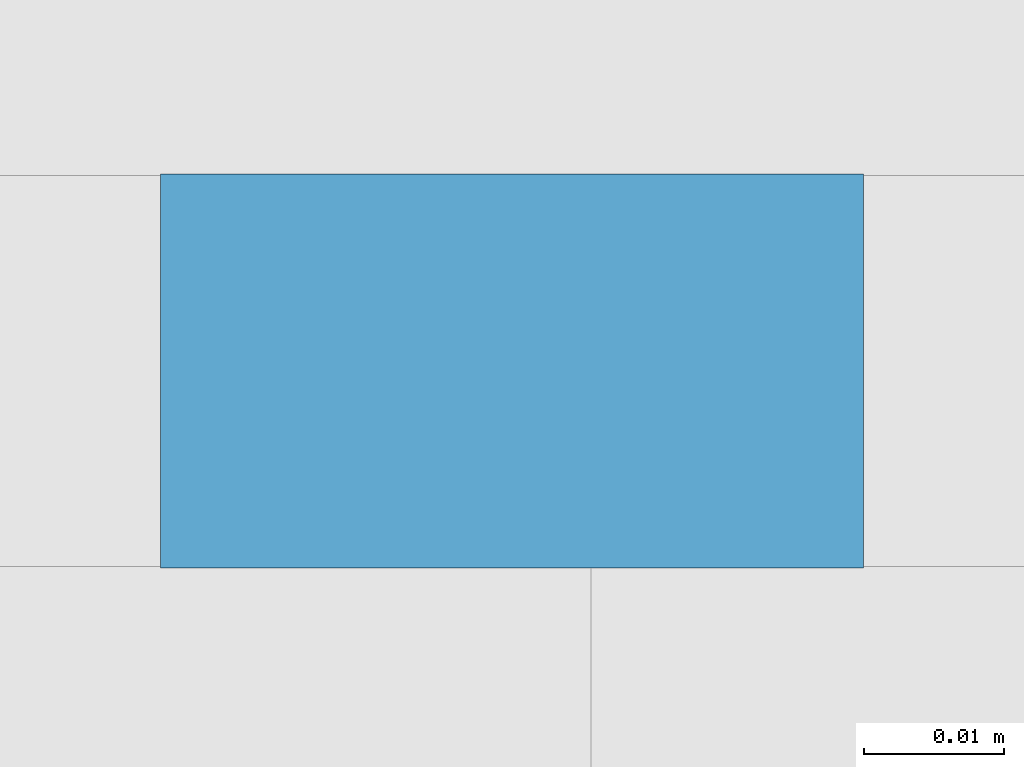
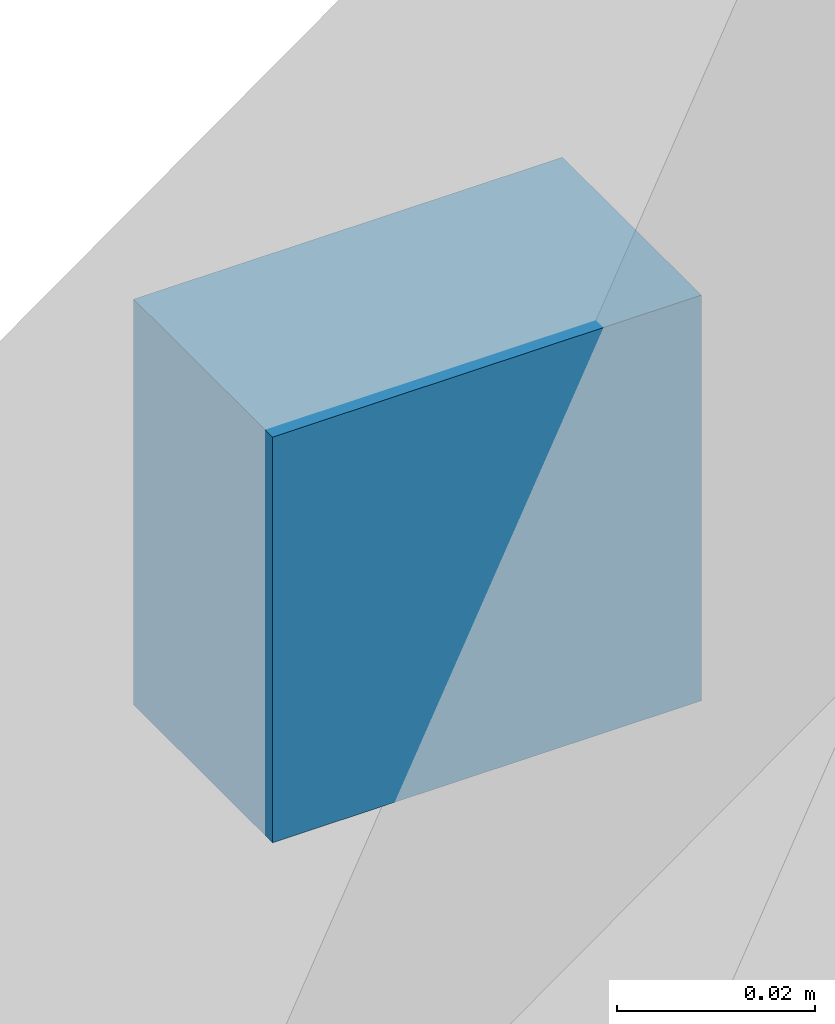
# One storey, part 14 of 18: 1 discrete accessory, 1 element without a shape of its own.
"""IFC4 building model written with IfcOpenShell, lengths in metres."""

import ifcopenshell
import ifcopenshell.guid

model = None  # the IFC model being written
_history = None  # IfcOwnerHistory: only IFC2X3 demands one
_inside = {}  # id of a spatial element -> (the spatial element, [elements in it])
_under = {}  # id of a project, library or spatial element -> (it, [spatial elements below it])
_declared = {}  # id of a project -> (the project, [libraries it declares])
_typed = {}  # id of a type object -> (the type object, [elements of that type])
_made_of = {}  # id of a material, layer set ... -> (it, [elements and type objects made of it])


def new_model(schema):
    """Start an empty IFC model of exactly this schema.

    Asked for "IFC4X3", IfcOpenShell would pick the latest addendum, in which some entities
    have other attributes; the version numbers below select the first issue.
    IFC2X3 requires an IfcOwnerHistory on every rooted entity: one is made here for all.
    """
    global model, _history
    if schema == "IFC4X3":
        model = ifcopenshell.file(schema_version=(4, 3, 0, 0))
    else:
        model = ifcopenshell.file(schema=schema)
    _inside.clear()
    _under.clear()
    _declared.clear()
    _typed.clear()
    _made_of.clear()
    _history = None
    if model.schema == "IFC2X3":
        org = make("IfcOrganization", Name="unknown")
        user = make(
            "IfcPersonAndOrganization",
            ThePerson=make("IfcPerson", FamilyName="unknown"),
            TheOrganization=org,
        )
        app = make(
            "IfcApplication",
            ApplicationDeveloper=org,
            Version="unknown",
            ApplicationFullName="unknown",
            ApplicationIdentifier="unknown",
        )
        _history = make(
            "IfcOwnerHistory",
            OwningUser=user,
            OwningApplication=app,
            ChangeAction="ADDED",
            CreationDate=0,
        )
    return model


def make(cls, **values):
    """One entity of the class cls with the attributes given. An attribute that is None is left unset."""
    return model.create_entity(
        cls, **{name: value for name, value in values.items() if value is not None}
    )


def rooted(cls, **values):
    """An entity with a GlobalId (a new one), such as an element, a storey or a relation."""
    return make(cls, GlobalId=ifcopenshell.guid.new(), OwnerHistory=_history, **values)


def si_unit(unit_type, name, prefix=None):
    """IfcSIUnit, for example si_unit("LENGTHUNIT", "METRE", prefix="MILLI")."""
    return make("IfcSIUnit", UnitType=unit_type, Prefix=prefix, Name=name)


def assignment(units):
    """IfcUnitAssignment: the units of a project."""
    return None if units is None else make("IfcUnitAssignment", Units=units)


def point(xyz):
    """IfcCartesianPoint."""
    return None if xyz is None else make("IfcCartesianPoint", Coordinates=xyz)


def direction(xyz):
    """IfcDirection."""
    return None if xyz is None else make("IfcDirection", DirectionRatios=xyz)


def frame(location, z_axis=None, x_axis=None):
    """IfcAxis2Placement3D, a coordinate frame: its origin and axes. An axis left out is left unset."""
    return make(
        "IfcAxis2Placement3D",
        Location=point(location),
        Axis=direction(z_axis),
        RefDirection=direction(x_axis),
    )


def frame_2d(location, x_axis=None):
    """IfcAxis2Placement2D, a coordinate frame in the plane: its origin and x axis."""
    return make(
        "IfcAxis2Placement2D", Location=point(location), RefDirection=direction(x_axis)
    )


def origin():
    """The frame at (0, 0, 0) with its axes left unset."""
    return frame((0.0, 0.0, 0.0))


def origin_2d():
    """The frame at (0, 0) in the plane with its x axis left unset."""
    return frame_2d((0.0, 0.0))


def place(relative_to, where):
    """IfcLocalPlacement: puts the frame where relative to a parent placement (None: the world)."""
    return make(
        "IfcLocalPlacement", PlacementRelTo=relative_to, RelativePlacement=where
    )


def context(
    kind, dimensions, precision=None, world=None, true_north=None, identifier=None
):
    """IfcGeometricRepresentationContext, for example the 3D "Model" context."""
    return make(
        "IfcGeometricRepresentationContext",
        ContextIdentifier=identifier,
        ContextType=kind,
        CoordinateSpaceDimension=dimensions,
        Precision=precision,
        WorldCoordinateSystem=world,
        TrueNorth=true_north,
    )


def subcontext(parent, identifier, kind, view, scale=None):
    """IfcGeometricRepresentationSubContext, for example "Body" below "Model"."""
    return make(
        "IfcGeometricRepresentationSubContext",
        ContextIdentifier=identifier,
        ContextType=kind,
        ParentContext=parent,
        TargetScale=scale,
        TargetView=view,
    )


def project(units=None, contexts=None):
    """IfcProject with its units and contexts."""
    return rooted(
        "IfcProject",
        Name="project",
        RepresentationContexts=contexts,
        UnitsInContext=assignment(units),
    )


def spatial(cls, under=None, at=None, **own):
    """A site, building, storey or space (cls), placed at a placement, below another one or the project."""
    s = rooted(cls, ObjectPlacement=at, **own)
    if under is not None:
        _under.setdefault(under.id(), (under, []))[1].append(s)
    return s


def profile(cls, at=None, kind="AREA", **sizes):
    """A parametric profile (cls). Its sizes go by their IFC names, for example OverallWidth=200.0."""
    return make(cls, ProfileType=kind, Position=at, **sizes)


def rectangle(**sizes):
    """IfcRectangleProfileDef."""
    return profile("IfcRectangleProfileDef", **sizes)


def extrude(swept, where, along, depth):
    """IfcExtrudedAreaSolid: the profile swept, set in the frame where, extruded along a direction by depth."""
    return make(
        "IfcExtrudedAreaSolid",
        SweptArea=swept,
        Position=where,
        ExtrudedDirection=direction(along),
        Depth=depth,
    )


def shape(context_of_items, identifier, shape_type, items):
    """IfcShapeRepresentation: the items that make up one representation, for example the "Body"."""
    return make(
        "IfcShapeRepresentation",
        ContextOfItems=context_of_items,
        RepresentationIdentifier=identifier,
        RepresentationType=shape_type,
        Items=items,
    )


def material(Name=None, Category=None):
    """IfcMaterial."""
    return make("IfcMaterial", Name=Name, Category=Category)


def made_of(thing, what):
    """Note that an element or type object is made of a material, layer set ...; save() writes the relation."""
    if what is not None:
        _made_of.setdefault(what.id(), (what, []))[1].append(thing)
    return thing


def type_object(cls, material=None, **own):
    """A type object (cls), such as IfcWallType, which elements share."""
    return made_of(rooted(cls, **own), material)


def element(
    cls,
    number,
    at=None,
    inside=None,
    cuts=None,
    type_object=None,
    material=None,
    context=None,
    identifier="Body",
    shape_type=None,
    held_by="IfcProductDefinitionShape",
    body=None,
    shapes=None,
    **own,
):
    """One element of the class cls, such as IfcWall. Its Tag is "e" and its number.

    at: its placement. inside: the storey or other place that contains it. cuts: it is an
    opening in that element (IfcRelVoidsElement). A single representation is given by context,
    identifier, shape_type and body (its items); several are given by shapes. held_by: the class
    of the entity that holds the representations. save() writes the other relations.
    """
    e = rooted(cls, Tag="e%d" % number, ObjectPlacement=at, **own)
    if body is not None:
        shapes = [shape(context, identifier, shape_type, body)]
    if shapes is not None:
        e.Representation = make(held_by, Representations=shapes)
    if inside is not None:
        _inside.setdefault(inside.id(), (inside, []))[1].append(e)
    if cuts is not None:
        rooted(
            "IfcRelVoidsElement", RelatingBuildingElement=cuts, RelatedOpeningElement=e
        )
    if type_object is not None:
        _typed.setdefault(type_object.id(), (type_object, []))[1].append(e)
    return made_of(e, material)


def aggregate(whole, parts):
    """IfcRelAggregates: a whole, such as a stair, and the parts it consists of."""
    return rooted("IfcRelAggregates", RelatingObject=whole, RelatedObjects=parts)


def save(model, path):
    """Write the relations noted so far, then the file.

    IfcRelAggregates (storeys below a building ...), IfcRelContainedInSpatialStructure (elements
    in a storey), IfcRelDefinesByType, IfcRelAssociatesMaterial and IfcRelDeclares: one each for
    every whole, place, type object, material and project.
    """
    for whole, parts in _under.values():
        aggregate(whole, parts)
    for where, things in _inside.values():
        rooted(
            "IfcRelContainedInSpatialStructure",
            RelatedElements=things,
            RelatingStructure=where,
        )
    for kind, things in _typed.values():
        rooted("IfcRelDefinesByType", RelatedObjects=things, RelatingType=kind)
    for what, things in _made_of.values():
        rooted("IfcRelAssociatesMaterial", RelatedObjects=things, RelatingMaterial=what)
    for by, libraries in _declared.values():
        rooted("IfcRelDeclares", RelatingContext=by, RelatedDefinitions=libraries)
    model.write(path)


model = new_model("IFC4")

# Units and contexts
model_context = context("Model", 3, precision=1e-05, world=origin(), true_north=direction((0.0, 1.0)))
body_context = subcontext(model_context, "Body", "Model", "MODEL_VIEW")
ifc_project = project(units=[si_unit("LENGTHUNIT", "METRE"), si_unit("AREAUNIT", "SQUARE_METRE"), si_unit("VOLUMEUNIT", "CUBIC_METRE"), si_unit("PLANEANGLEUNIT", "RADIAN"), si_unit("MASSUNIT", "GRAM", prefix="KILO")], contexts=[model_context])

# Site, building, storey
site_placement = place(None, origin())
site = spatial("IfcSite", under=ifc_project, at=site_placement, CompositionType="ELEMENT")
building_placement = place(site_placement, origin())
building = spatial("IfcBuilding", under=site, at=building_placement, Name="Tessera Arch", CompositionType="ELEMENT")
storey_placement = place(building_placement, frame((0.0, 0.0, 185.60009765625)))
storey = spatial("IfcBuildingStorey", under=building, at=storey_placement, Name="L44", CompositionType="ELEMENT", Elevation=185.60009765625)

# Curtain wall, discrete accessory
ifc_material = material(Name="CW3 curtain wall")
curtain_wall_type = type_object("IfcCurtainWallType", Name="CW3 curtain wall", PredefinedType="NOTDEFINED", material=ifc_material)
curtain_wall_placement = place(storey_placement, origin())
curtain_wall = element("IfcCurtainWall", 1, at=curtain_wall_placement, inside=storey, type_object=curtain_wall_type, Name="CW3 curtain wall N54.0/3 L44", PredefinedType="NOTDEFINED")
discrete_accessory_placement = place(storey_placement, frame((21.929931640625, 54.0439453125, 1.1455078125), z_axis=(0.0, 0.0, 1.0), x_axis=(-1.0, 0.0, 0.0)))
discrete_accessory = element("IfcDiscreteAccessory", 2, at=discrete_accessory_placement, Name="Glazing bracket", PredefinedType="BRACKET", context=body_context, shape_type="SweptSolid", body=[
    extrude(rectangle(XDim=0.050048828125, YDim=0.028076171875, at=origin_2d()), origin(), (0.0, 0.0, 1.0), 0.050048828125),
])
aggregate(curtain_wall, [discrete_accessory])

save(model, "model.ifc")
